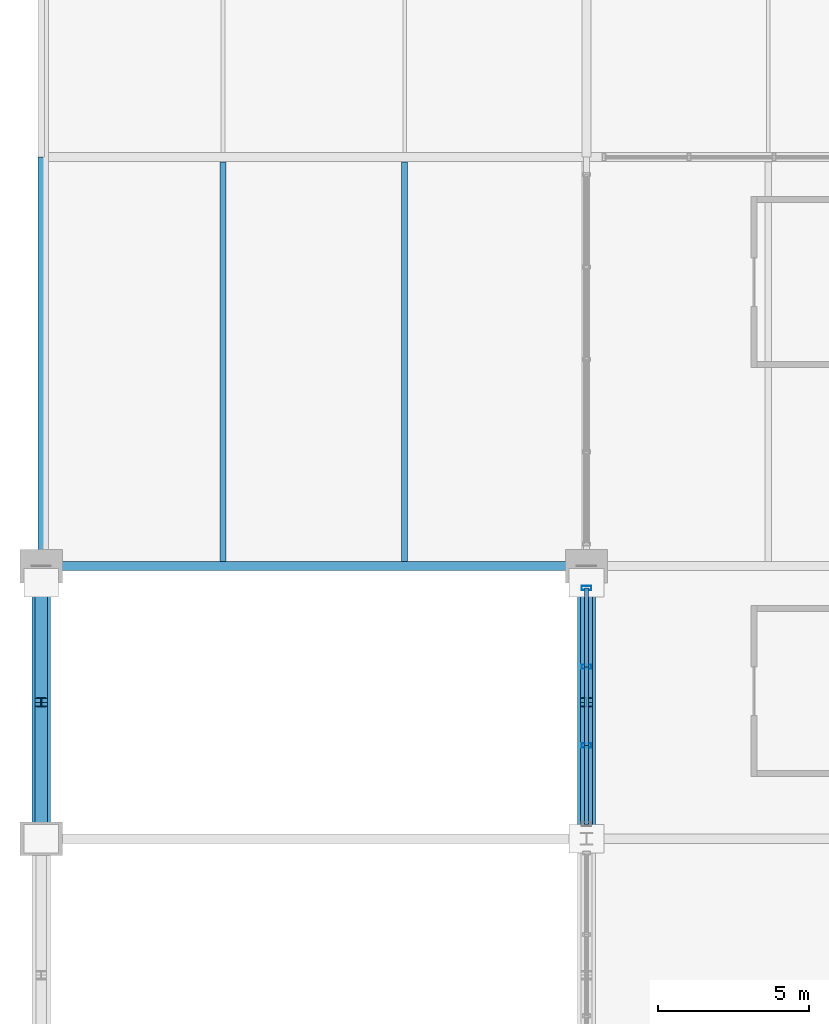
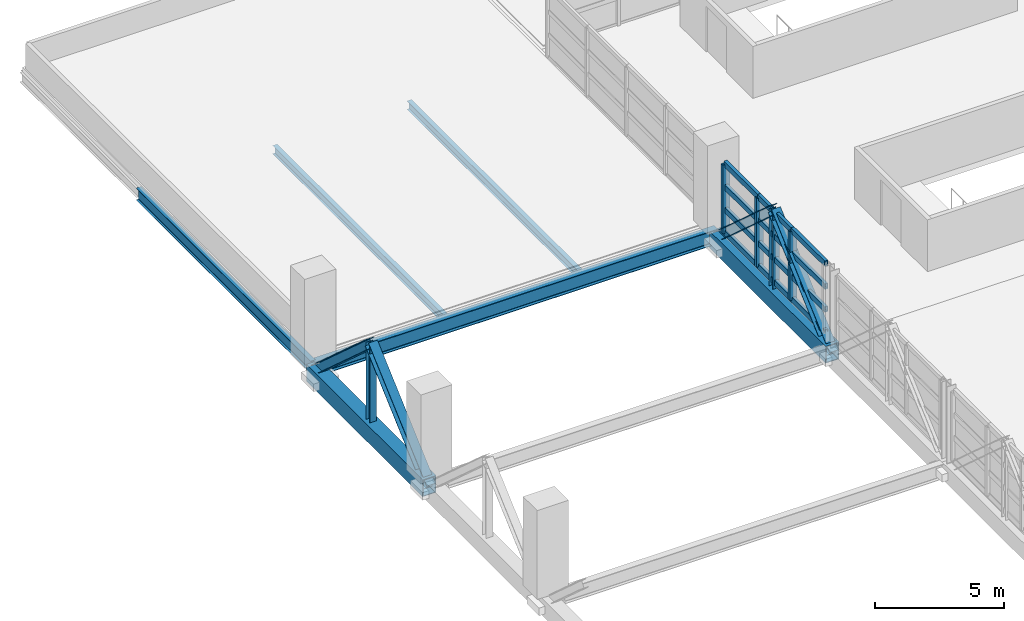
# One storey, part 31 of 136: 21 members, 6 beams, 1 element without a shape of its own.
"""IFC4 building model written with IfcOpenShell, lengths in metres."""

from ifc_helpers import new_model, si_unit, direction, frame, origin, origin_2d, place, context, subcontext, project, spatial, hollow_rectangle, i_section, extrude, material, material_profile, profile_set, type_object, element, aggregate, save


model = new_model("IFC4")

# Units and contexts
model_context = context("Model", 3, precision=1e-05, world=origin(), true_north=direction((0.0, 1.0)))
body_context = subcontext(model_context, "Body", "Model", "MODEL_VIEW")
ifc_project = project(units=[si_unit("LENGTHUNIT", "METRE"), si_unit("AREAUNIT", "SQUARE_METRE"), si_unit("VOLUMEUNIT", "CUBIC_METRE"), si_unit("PLANEANGLEUNIT", "RADIAN"), si_unit("MASSUNIT", "GRAM", prefix="KILO")], contexts=[model_context])

# Site, building, storey
site_placement = place(None, origin())
site = spatial("IfcSite", under=ifc_project, at=site_placement, CompositionType="ELEMENT")
building_placement = place(site_placement, origin())
building = spatial("IfcBuilding", under=site, at=building_placement, Name="Chuanluo Vaults Station", CompositionType="ELEMENT")
storey_placement = place(building_placement, frame((0.0, 0.0, 6.60009765625)))
storey = spatial("IfcBuildingStorey", under=building, at=storey_placement, Name="L01", CompositionType="ELEMENT", Elevation=6.60009765625)

# Beams
ifc_material_1 = material(Name="Steel Q355C", Category="steel")
ifc_material_profile_1 = material_profile(ifc_material_1, i_section(OverallWidth=0.300048828125, OverallDepth=0.699951171875, WebThickness=0.012939453125, FlangeThickness=0.02392578125, FilletRadius=0.02197265625, at=origin_2d()))
ifc_profile_set_1 = profile_set([ifc_material_profile_1], Name="Steel Q355C")
beam_type_1 = type_object("IfcBeamType", Name="BM-GRD-700", PredefinedType="USERDEFINED", material=ifc_profile_set_1)
beam_1_placement = place(storey_placement, frame((0.0, 103.5, -0.55517578125), z_axis=(1.0, 0.0, 0.0), x_axis=(0.0, 1.0, 0.0)))
element("IfcBeam", 1, at=beam_1_placement, inside=storey, type_object=beam_type_1, Name="Floor girder BM:GX:L01:0362", ObjectType="GIRDER", PredefinedType="USERDEFINED", context=body_context, shape_type="SweptSolid", body=[
    extrude(i_section(OverallWidth=0.300048828125, OverallDepth=0.699951171875, WebThickness=0.012939453125, FlangeThickness=0.02392578125, FilletRadius=0.02197265625, at=origin_2d()), origin(), (0.0, 0.0, 1.0), 18.0),
])
ifc_material_2 = material(Name="Steel Q355C", Category="steel")
ifc_material_profile_2 = material_profile(ifc_material_2, i_section(OverallWidth=0.199951171875, OverallDepth=0.39990234375, WebThickness=0.008056640625, FlangeThickness=0.012939453125, FilletRadius=0.01611328125, at=origin_2d()))
ifc_profile_set_2 = profile_set([ifc_material_profile_2], Name="Steel Q355C")
beam_type_2 = type_object("IfcBeamType", Name="BM-SEC-400", PredefinedType="BEAM", material=ifc_profile_set_2)
for number, where, z_axis, x_axis, name in (
    (2, (6.0, 103.655029296875, -0.405029296875), (0.0, 1.0, 0.0), (-1.0, 0.0, 0.0), "Composite secondary joist 0108"),
    (3, (12.0, 103.655029296875, -0.405029296875), (0.0, 1.0, 0.0), (-1.0, 0.0, 0.0), "Composite secondary joist 0109"),
):
    element("IfcBeam", number, at=place(storey_placement, frame(where, z_axis=z_axis, x_axis=x_axis)), inside=storey, type_object=beam_type_2, Name=name, PredefinedType="BEAM", context=body_context, shape_type="SweptSolid", body=[
        extrude(i_section(OverallWidth=0.199951171875, OverallDepth=0.39990234375, WebThickness=0.008056640625, FlangeThickness=0.012939453125, FilletRadius=0.01611328125, at=origin_2d()), origin(), (0.0, 0.0, 1.0), 13.18994140625),
    ])
ifc_material_3 = material(Name="Steel Q355C", Category="steel")
ifc_material_profile_3 = material_profile(ifc_material_3, i_section(OverallWidth=0.2099609375, OverallDepth=0.580078125, WebThickness=0.010986328125, FlangeThickness=0.01708984375, FilletRadius=0.01806640625, at=origin_2d()))
ifc_profile_set_3 = profile_set([ifc_material_profile_3], Name="Steel Q355C")
beam_type_3 = type_object("IfcBeamType", Name="BM-SPN-600", PredefinedType="SPANDREL", material=ifc_profile_set_3)
beam_2_placement = place(storey_placement, frame((0.0, 103.5, -0.4951171875), z_axis=(0.0, 1.0, 0.0), x_axis=(-1.0, 0.0, 0.0)))
element("IfcBeam", 4, at=beam_2_placement, inside=storey, type_object=beam_type_3, Name="Floor girder BM:GY:L01:0408", PredefinedType="SPANDREL", context=body_context, shape_type="SweptSolid", body=[
    extrude(i_section(OverallWidth=0.2099609375, OverallDepth=0.580078125, WebThickness=0.010986328125, FlangeThickness=0.01708984375, FilletRadius=0.01806640625, at=origin_2d()), origin(), (0.0, 0.0, 1.0), 13.5),
])
ifc_material_4 = material(Name="Steel Q390C", Category="steel")
ifc_material_profile_4 = material_profile(ifc_material_4, hollow_rectangle(XDim=0.60009765625, YDim=0.800048828125, WallThickness=0.031982421875, at=origin_2d()))
ifc_profile_set_4 = profile_set([ifc_material_profile_4], Name="Steel Q390C")
beam_type_4 = type_object("IfcBeamType", Name="BM-TT-BOT", PredefinedType="USERDEFINED", material=ifc_profile_set_4)
for number, where, z_axis, x_axis, name in (
    (5, (0.0, 94.5, -0.68017578125), (0.0, 1.0, 0.0), (-1.0, 0.0, 0.0), "Transfer truss TT-1 bottom chord 4"),
    (6, (18.0, 94.5, -0.68017578125), (0.0, 1.0, 0.0), (-1.0, 0.0, 0.0), "Transfer truss TT-2 bottom chord 4"),
):
    element("IfcBeam", number, at=place(storey_placement, frame(where, z_axis=z_axis, x_axis=x_axis)), inside=storey, type_object=beam_type_4, Name=name, ObjectType="GIRDER", PredefinedType="USERDEFINED", context=body_context, shape_type="SweptSolid", body=[
        extrude(hollow_rectangle(XDim=0.60009765625, YDim=0.800048828125, WallThickness=0.031982421875, at=origin_2d()), origin(), (0.0, 0.0, 1.0), 9.0),
    ])

# Curtain wall, members
ifc_material_5 = material(Name="Anodised aluminium 6063-T6", Category="aluminium")
curtain_wall_type = type_object("IfcCurtainWallType", Name="CW-SYS-01", PredefinedType="NOTDEFINED", material=ifc_material_5)
curtain_wall_placement = place(storey_placement, origin())
curtain_wall = element("IfcCurtainWall", 7, at=curtain_wall_placement, inside=storey, type_object=curtain_wall_type, Name="Over-track west hall CW 94", PredefinedType="NOTDEFINED")
ifc_material_6 = material(Name="Anodised aluminium 6063-T6", Category="aluminium")
ifc_material_profile_5 = material_profile(ifc_material_6, hollow_rectangle(XDim=0.139892578125, YDim=0.320068359375, WallThickness=0.008056640625, at=origin_2d()))
ifc_profile_set_5 = profile_set([ifc_material_profile_5], Name="Anodised aluminium 6063-T6")
member_type_1 = type_object("IfcMemberType", Name="CWM-220", PredefinedType="MULLION", material=ifc_profile_set_5)
member_1_placement = place(storey_placement, frame((18.0, 97.574951171875, 0.0), z_axis=(0.0, 0.0, 1.0), x_axis=(0.0, 1.0, 0.0)))
member_1 = element("IfcMember", 8, at=member_1_placement, type_object=member_type_1, Name="Over-track west hall CW 94 mullion 2", PredefinedType="MULLION", context=body_context, shape_type="SweptSolid", body=[
    extrude(hollow_rectangle(XDim=0.139892578125, YDim=0.320068359375, WallThickness=0.008056640625, at=origin_2d()), origin(), (0.0, 0.0, 1.0), 3.25),
])
member_2_placement = place(storey_placement, frame((18.0, 100.175048828125, 0.0), z_axis=(0.0, 0.0, 1.0), x_axis=(0.0, 1.0, 0.0)))
member_2 = element("IfcMember", 9, at=member_2_placement, type_object=member_type_1, Name="Over-track west hall CW 94 mullion 3", PredefinedType="MULLION", context=body_context, shape_type="SweptSolid", body=[
    extrude(hollow_rectangle(XDim=0.139892578125, YDim=0.320068359375, WallThickness=0.008056640625, at=origin_2d()), origin(), (0.0, 0.0, 1.0), 3.25),
])
member_3_placement = place(storey_placement, frame((18.0, 102.77490234375, 0.0), z_axis=(0.0, 0.0, 1.0), x_axis=(0.0, 1.0, 0.0)))
member_3 = element("IfcMember", 10, at=member_3_placement, type_object=member_type_1, Name="Over-track west hall CW 94 mullion 4", PredefinedType="MULLION", context=body_context, shape_type="SweptSolid", body=[
    extrude(hollow_rectangle(XDim=0.139892578125, YDim=0.320068359375, WallThickness=0.008056640625, at=origin_2d()), origin(), (0.0, 0.0, 1.0), 3.25),
])
ifc_material_7 = material(Name="Anodised aluminium 6063-T6", Category="aluminium")
ifc_material_profile_6 = material_profile(ifc_material_7, hollow_rectangle(XDim=0.139892578125, YDim=0.260009765625, WallThickness=0.007080078125, at=origin_2d()))
ifc_profile_set_6 = profile_set([ifc_material_profile_6], Name="Anodised aluminium 6063-T6")
member_type_2 = type_object("IfcMemberType", Name="CWT-180", PredefinedType="USERDEFINED", material=ifc_profile_set_6)
member_4_placement = place(storey_placement, frame((18.0, 94.97509765625, 0.0), z_axis=(0.0, 1.0, 0.0), x_axis=(-1.0, 0.0, 0.0)))
member_4 = element("IfcMember", 11, at=member_4_placement, type_object=member_type_2, Name="Over-track west hall CW 94 transom 1.1", ObjectType="TRANSOM", PredefinedType="USERDEFINED", context=body_context, shape_type="SweptSolid", body=[
    extrude(hollow_rectangle(XDim=0.139892578125, YDim=0.260009765625, WallThickness=0.007080078125, at=origin_2d()), origin(), (0.0, 0.0, 1.0), 2.599853515625),
])
member_5_placement = place(storey_placement, frame((18.0, 94.97509765625, 1.083251953125), z_axis=(0.0, 1.0, 0.0), x_axis=(-1.0, 0.0, 0.0)))
member_5 = element("IfcMember", 12, at=member_5_placement, type_object=member_type_2, Name="Over-track west hall CW 94 transom 1.2", ObjectType="TRANSOM", PredefinedType="USERDEFINED", context=body_context, shape_type="SweptSolid", body=[
    extrude(hollow_rectangle(XDim=0.139892578125, YDim=0.260009765625, WallThickness=0.007080078125, at=origin_2d()), origin(), (0.0, 0.0, 1.0), 2.599853515625),
])
member_6_placement = place(storey_placement, frame((18.0, 94.97509765625, 2.16650390625), z_axis=(0.0, 1.0, 0.0), x_axis=(-1.0, 0.0, 0.0)))
member_6 = element("IfcMember", 13, at=member_6_placement, type_object=member_type_2, Name="Over-track west hall CW 94 transom 1.3", ObjectType="TRANSOM", PredefinedType="USERDEFINED", context=body_context, shape_type="SweptSolid", body=[
    extrude(hollow_rectangle(XDim=0.139892578125, YDim=0.260009765625, WallThickness=0.007080078125, at=origin_2d()), origin(), (0.0, 0.0, 1.0), 2.599853515625),
])
member_7_placement = place(storey_placement, frame((18.0, 94.97509765625, 3.25), z_axis=(0.0, 1.0, 0.0), x_axis=(-1.0, 0.0, 0.0)))
member_7 = element("IfcMember", 14, at=member_7_placement, type_object=member_type_2, Name="Over-track west hall CW 94 transom 1.4", ObjectType="TRANSOM", PredefinedType="USERDEFINED", context=body_context, shape_type="SweptSolid", body=[
    extrude(hollow_rectangle(XDim=0.139892578125, YDim=0.260009765625, WallThickness=0.007080078125, at=origin_2d()), origin(), (0.0, 0.0, 1.0), 2.599853515625),
])
member_8_placement = place(storey_placement, frame((18.0, 97.574951171875, 0.0), z_axis=(0.0, 1.0, 0.0), x_axis=(-1.0, 0.0, 0.0)))
member_8 = element("IfcMember", 15, at=member_8_placement, type_object=member_type_2, Name="Over-track west hall CW 94 transom 2.1", ObjectType="TRANSOM", PredefinedType="USERDEFINED", context=body_context, shape_type="SweptSolid", body=[
    extrude(hollow_rectangle(XDim=0.139892578125, YDim=0.260009765625, WallThickness=0.007080078125, at=origin_2d()), origin(), (0.0, 0.0, 1.0), 2.60009765625),
])
member_9_placement = place(storey_placement, frame((18.0, 97.574951171875, 1.083251953125), z_axis=(0.0, 1.0, 0.0), x_axis=(-1.0, 0.0, 0.0)))
member_9 = element("IfcMember", 16, at=member_9_placement, type_object=member_type_2, Name="Over-track west hall CW 94 transom 2.2", ObjectType="TRANSOM", PredefinedType="USERDEFINED", context=body_context, shape_type="SweptSolid", body=[
    extrude(hollow_rectangle(XDim=0.139892578125, YDim=0.260009765625, WallThickness=0.007080078125, at=origin_2d()), origin(), (0.0, 0.0, 1.0), 2.60009765625),
])
member_10_placement = place(storey_placement, frame((18.0, 97.574951171875, 2.16650390625), z_axis=(0.0, 1.0, 0.0), x_axis=(-1.0, 0.0, 0.0)))
member_10 = element("IfcMember", 17, at=member_10_placement, type_object=member_type_2, Name="Over-track west hall CW 94 transom 2.3", ObjectType="TRANSOM", PredefinedType="USERDEFINED", context=body_context, shape_type="SweptSolid", body=[
    extrude(hollow_rectangle(XDim=0.139892578125, YDim=0.260009765625, WallThickness=0.007080078125, at=origin_2d()), origin(), (0.0, 0.0, 1.0), 2.60009765625),
])
member_11_placement = place(storey_placement, frame((18.0, 97.574951171875, 3.25), z_axis=(0.0, 1.0, 0.0), x_axis=(-1.0, 0.0, 0.0)))
member_11 = element("IfcMember", 18, at=member_11_placement, type_object=member_type_2, Name="Over-track west hall CW 94 transom 2.4", ObjectType="TRANSOM", PredefinedType="USERDEFINED", context=body_context, shape_type="SweptSolid", body=[
    extrude(hollow_rectangle(XDim=0.139892578125, YDim=0.260009765625, WallThickness=0.007080078125, at=origin_2d()), origin(), (0.0, 0.0, 1.0), 2.60009765625),
])
member_12_placement = place(storey_placement, frame((18.0, 100.175048828125, 0.0), z_axis=(0.0, 1.0, 0.0), x_axis=(-1.0, 0.0, 0.0)))
member_12 = element("IfcMember", 19, at=member_12_placement, type_object=member_type_2, Name="Over-track west hall CW 94 transom 3.1", ObjectType="TRANSOM", PredefinedType="USERDEFINED", context=body_context, shape_type="SweptSolid", body=[
    extrude(hollow_rectangle(XDim=0.139892578125, YDim=0.260009765625, WallThickness=0.007080078125, at=origin_2d()), origin(), (0.0, 0.0, 1.0), 2.599853515625),
])
member_13_placement = place(storey_placement, frame((18.0, 100.175048828125, 1.083251953125), z_axis=(0.0, 1.0, 0.0), x_axis=(-1.0, 0.0, 0.0)))
member_13 = element("IfcMember", 20, at=member_13_placement, type_object=member_type_2, Name="Over-track west hall CW 94 transom 3.2", ObjectType="TRANSOM", PredefinedType="USERDEFINED", context=body_context, shape_type="SweptSolid", body=[
    extrude(hollow_rectangle(XDim=0.139892578125, YDim=0.260009765625, WallThickness=0.007080078125, at=origin_2d()), origin(), (0.0, 0.0, 1.0), 2.599853515625),
])
member_14_placement = place(storey_placement, frame((18.0, 100.175048828125, 2.16650390625), z_axis=(0.0, 1.0, 0.0), x_axis=(-1.0, 0.0, 0.0)))
member_14 = element("IfcMember", 21, at=member_14_placement, type_object=member_type_2, Name="Over-track west hall CW 94 transom 3.3", ObjectType="TRANSOM", PredefinedType="USERDEFINED", context=body_context, shape_type="SweptSolid", body=[
    extrude(hollow_rectangle(XDim=0.139892578125, YDim=0.260009765625, WallThickness=0.007080078125, at=origin_2d()), origin(), (0.0, 0.0, 1.0), 2.599853515625),
])
member_15_placement = place(storey_placement, frame((18.0, 100.175048828125, 3.25), z_axis=(0.0, 1.0, 0.0), x_axis=(-1.0, 0.0, 0.0)))
member_15 = element("IfcMember", 22, at=member_15_placement, type_object=member_type_2, Name="Over-track west hall CW 94 transom 3.4", ObjectType="TRANSOM", PredefinedType="USERDEFINED", context=body_context, shape_type="SweptSolid", body=[
    extrude(hollow_rectangle(XDim=0.139892578125, YDim=0.260009765625, WallThickness=0.007080078125, at=origin_2d()), origin(), (0.0, 0.0, 1.0), 2.599853515625),
])
aggregate(curtain_wall, [member_1, member_2, member_3, member_4, member_5, member_6, member_7, member_8, member_9, member_10, member_11, member_12, member_13, member_14, member_15])

# Members
ifc_material_8 = material(Name="Steel Q390C", Category="steel")
ifc_material_profile_7 = material_profile(ifc_material_8, i_section(OverallWidth=0.39990234375, OverallDepth=0.407958984375, WebThickness=0.02099609375, FlangeThickness=0.02099609375, FilletRadius=0.02197265625, at=origin_2d()))
ifc_profile_set_7 = profile_set([ifc_material_profile_7], Name="Steel Q390C")
member_type_3 = type_object("IfcMemberType", Name="MEM-DIAG-408", PredefinedType="BRACE", material=ifc_profile_set_7)
for number, where, z_axis, x_axis, name in (
    (23, (0.0, 94.5, -0.68017578125), (0.0, 0.744935757439, 0.667136205949), (-1.0, 0.0, 0.0), "Transfer truss TT-1 diagonal 4A"),
    (24, (0.0, 99.0, 3.349853515625), (0.0, 0.744935757439, -0.667136205949), (-1.0, 0.0, 0.0), "Transfer truss TT-1 diagonal 4B"),
    (25, (18.0, 94.5, -0.68017578125), (0.0, 0.744935757439, 0.667136205949), (-1.0, 0.0, 0.0), "Transfer truss TT-2 diagonal 4A"),
    (26, (18.0, 99.0, 3.349853515625), (0.0, 0.744935757439, -0.667136205949), (-1.0, 0.0, 0.0), "Transfer truss TT-2 diagonal 4B"),
):
    element("IfcMember", number, at=place(storey_placement, frame(where, z_axis=z_axis, x_axis=x_axis)), inside=storey, type_object=member_type_3, Name=name, PredefinedType="BRACE", context=body_context, shape_type="SweptSolid", body=[
        extrude(i_section(OverallWidth=0.39990234375, OverallDepth=0.407958984375, WebThickness=0.02099609375, FlangeThickness=0.02099609375, FilletRadius=0.02197265625, at=origin_2d()), origin(), (0.0, 0.0, 1.0), 6.040771484375),
    ])
ifc_material_9 = material(Name="Steel Q390C", Category="steel")
ifc_material_profile_8 = material_profile(ifc_material_9, i_section(OverallWidth=0.300048828125, OverallDepth=0.300048828125, WebThickness=0.010009765625, FlangeThickness=0.014892578125, FilletRadius=0.01806640625, at=origin_2d()))
ifc_profile_set_8 = profile_set([ifc_material_profile_8], Name="Steel Q390C")
member_type_4 = type_object("IfcMemberType", Name="MEM-VERT-300", PredefinedType="POST", material=ifc_profile_set_8)
for number, where, z_axis, x_axis, name in (
    (27, (0.0, 99.0, -0.68017578125), (0.0, 0.0, 1.0), (1.0, 0.0, 0.0), "Transfer truss TT-1 mid-panel hanger 4"),
    (28, (18.0, 99.0, -0.68017578125), (0.0, 0.0, 1.0), (1.0, 0.0, 0.0), "Transfer truss TT-2 mid-panel hanger 4"),
):
    element("IfcMember", number, at=place(storey_placement, frame(where, z_axis=z_axis, x_axis=x_axis)), inside=storey, type_object=member_type_4, Name=name, PredefinedType="POST", context=body_context, shape_type="SweptSolid", body=[
        extrude(i_section(OverallWidth=0.300048828125, OverallDepth=0.300048828125, WebThickness=0.010009765625, FlangeThickness=0.014892578125, FilletRadius=0.01806640625, at=origin_2d()), origin(), (0.0, 0.0, 1.0), 4.030029296875),
    ])

save(model, "model.ifc")
